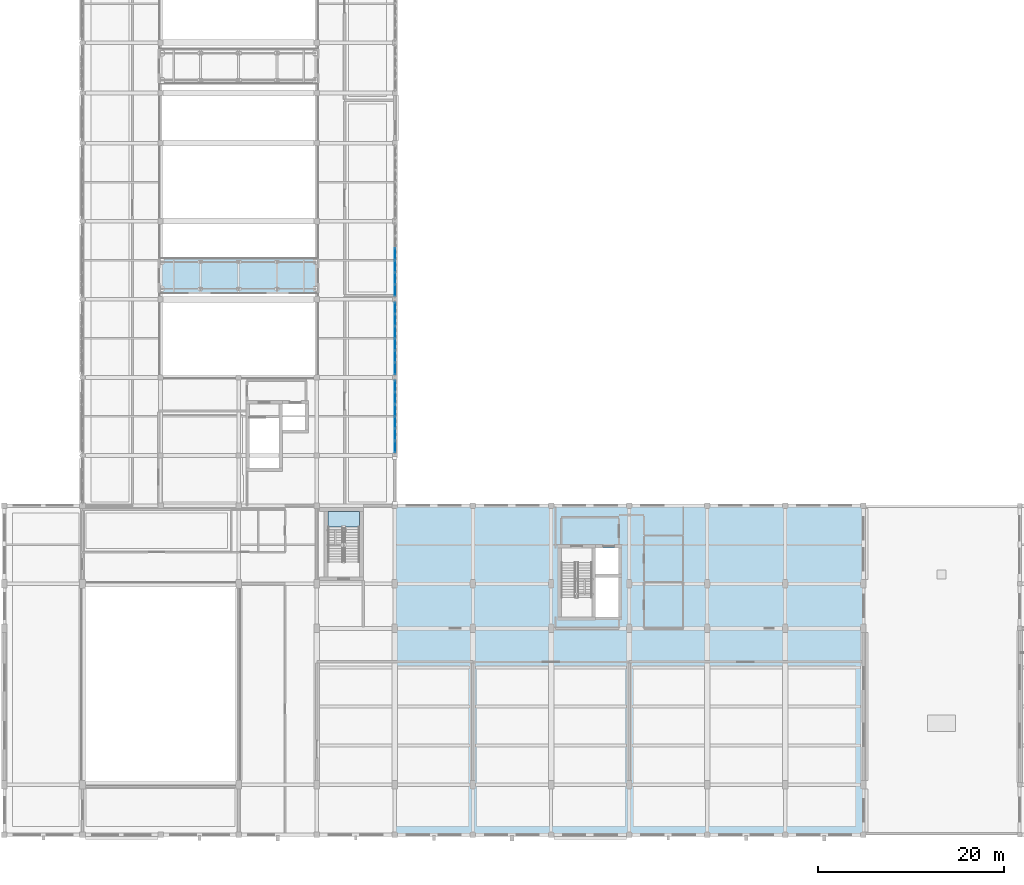
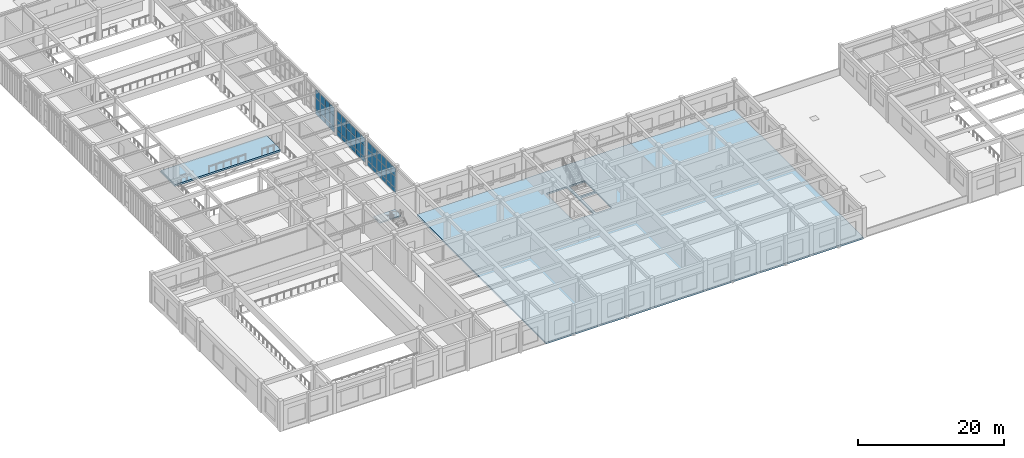
# One storey, part 45 of 77: 48 plates, 3 slabs, 4 elements without a shape of their own.
"""IFC4 building model written with IfcOpenShell, lengths in metres."""

from ifc_helpers import new_model, si_unit, direction, frame, origin, origin_2d, place, context, subcontext, project, spatial, polyline, rectangle, outline, extrude, material, layer, layer_set, type_object, element, aggregate, save


model = new_model("IFC4")

# Units and contexts
model_context = context("Model", 3, precision=1e-05, world=origin(), true_north=direction((0.0, 1.0)))
body_context = subcontext(model_context, "Body", "Model", "MODEL_VIEW")
ifc_project = project(units=[si_unit("LENGTHUNIT", "METRE"), si_unit("AREAUNIT", "SQUARE_METRE"), si_unit("VOLUMEUNIT", "CUBIC_METRE"), si_unit("PLANEANGLEUNIT", "RADIAN"), si_unit("MASSUNIT", "GRAM", prefix="KILO")], contexts=[model_context])

# Site, building, storey
site_placement = place(None, origin())
site = spatial("IfcSite", under=ifc_project, at=site_placement, CompositionType="ELEMENT")
building_placement = place(site_placement, origin())
building = spatial("IfcBuilding", under=site, at=building_placement, Name="Krzemoval Escarpment Law Courts", CompositionType="ELEMENT")
storey_placement = place(building_placement, frame((0.0, 0.0, 15.300048828125)))
storey = spatial("IfcBuildingStorey", under=building, at=storey_placement, Name="L03", CompositionType="ELEMENT", Elevation=15.300048828125)

# Curtain wall, plates
ifc_material_1 = material(Name="Aluminium 6063-T6", Category="aluminium")
ifc_layer_1 = layer(ifc_material_1, 0.280029296875)
ifc_layer_set_1 = layer_set([ifc_layer_1], Name="Aluminium 6063-T6")
curtain_wall_type = type_object("IfcCurtainWallType", Name="CW-HALL-5100", PredefinedType="USERDEFINED", material=ifc_layer_set_1)
curtain_wall_1_placement = place(storey_placement, origin())
curtain_wall_1 = element("IfcCurtainWall", 1, at=curtain_wall_1_placement, inside=storey, type_object=curtain_wall_type, Name="Unitised Curtain Wall FCW-L03-109", ObjectType="UNITISED_CURTAIN_WALL", PredefinedType="USERDEFINED")
ifc_material_2 = material(Name="Triple Glazing IGU", Category="glass")
ifc_layer_2 = layer(ifc_material_2, 0.053955078125)
ifc_layer_set_2 = layer_set([ifc_layer_2], Name="Triple Glazing IGU")
plate_type = type_object("IfcPlateType", Name="CWP-GLZ-54", PredefinedType="CURTAIN_PANEL", material=ifc_layer_set_2)
plate_1_placement = place(storey_placement, frame((42.0, 62.4541015625, 0.0849609375), z_axis=(0.0, 0.0, 1.0), x_axis=(0.0, -1.0, 0.0)))
plate_1 = element("IfcPlate", 2, at=plate_1_placement, type_object=plate_type, Name="FCW-L03-109 panel 3.1", PredefinedType="CURTAIN_PANEL", context=body_context, shape_type="SweptSolid", body=[
    extrude(rectangle(XDim=1.223388671875, YDim=0.053955078125, at=origin_2d()), origin(), (0.0, 0.0, 1.0), 0.7724609375),
])
plate_2_placement = place(storey_placement, frame((42.0, 62.4541015625, 0.9423828125), z_axis=(0.0, 0.0, 1.0), x_axis=(0.0, -1.0, 0.0)))
plate_2 = element("IfcPlate", 3, at=plate_2_placement, type_object=plate_type, Name="FCW-L03-109 panel 3.2", PredefinedType="CURTAIN_PANEL", context=body_context, shape_type="SweptSolid", body=[
    extrude(rectangle(XDim=1.223388671875, YDim=0.053955078125, at=origin_2d()), origin(), (0.0, 0.0, 1.0), 1.81494140625),
])
plate_3_placement = place(storey_placement, frame((42.0, 62.4541015625, 2.842529296875), z_axis=(0.0, 0.0, 1.0), x_axis=(0.0, -1.0, 0.0)))
plate_3 = element("IfcPlate", 4, at=plate_3_placement, type_object=plate_type, Name="FCW-L03-109 panel 3.3", PredefinedType="CURTAIN_PANEL", context=body_context, shape_type="SweptSolid", body=[
    extrude(rectangle(XDim=1.223388671875, YDim=0.053955078125, at=origin_2d()), origin(), (0.0, 0.0, 1.0), 1.3125),
])
plate_4_placement = place(storey_placement, frame((42.0, 61.145751953125, 0.0849609375), z_axis=(0.0, 0.0, 1.0), x_axis=(0.0, -1.0, 0.0)))
plate_4 = element("IfcPlate", 5, at=plate_4_placement, type_object=plate_type, Name="FCW-L03-109 panel 4.1", PredefinedType="CURTAIN_PANEL", context=body_context, shape_type="SweptSolid", body=[
    extrude(rectangle(XDim=1.223388671875, YDim=0.053955078125, at=origin_2d()), origin(), (0.0, 0.0, 1.0), 0.7724609375),
])
plate_5_placement = place(storey_placement, frame((42.0, 61.145751953125, 0.9423828125), z_axis=(0.0, 0.0, 1.0), x_axis=(0.0, -1.0, 0.0)))
plate_5 = element("IfcPlate", 6, at=plate_5_placement, type_object=plate_type, Name="FCW-L03-109 panel 4.2", PredefinedType="CURTAIN_PANEL", context=body_context, shape_type="SweptSolid", body=[
    extrude(rectangle(XDim=1.223388671875, YDim=0.053955078125, at=origin_2d()), origin(), (0.0, 0.0, 1.0), 1.81494140625),
])
plate_6_placement = place(storey_placement, frame((42.0, 61.145751953125, 2.842529296875), z_axis=(0.0, 0.0, 1.0), x_axis=(0.0, -1.0, 0.0)))
plate_6 = element("IfcPlate", 7, at=plate_6_placement, type_object=plate_type, Name="FCW-L03-109 panel 4.3", PredefinedType="CURTAIN_PANEL", context=body_context, shape_type="SweptSolid", body=[
    extrude(rectangle(XDim=1.223388671875, YDim=0.053955078125, at=origin_2d()), origin(), (0.0, 0.0, 1.0), 1.3125),
])
plate_7_placement = place(storey_placement, frame((42.0, 59.83740234375, 0.0849609375), z_axis=(0.0, 0.0, 1.0), x_axis=(0.0, -1.0, 0.0)))
plate_7 = element("IfcPlate", 8, at=plate_7_placement, type_object=plate_type, Name="FCW-L03-109 panel 5.1", PredefinedType="CURTAIN_PANEL", context=body_context, shape_type="SweptSolid", body=[
    extrude(rectangle(XDim=1.223388671875, YDim=0.053955078125, at=origin_2d()), origin(), (0.0, 0.0, 1.0), 0.7724609375),
])
plate_8_placement = place(storey_placement, frame((42.0, 59.83740234375, 0.9423828125), z_axis=(0.0, 0.0, 1.0), x_axis=(0.0, -1.0, 0.0)))
plate_8 = element("IfcPlate", 9, at=plate_8_placement, type_object=plate_type, Name="FCW-L03-109 panel 5.2", PredefinedType="CURTAIN_PANEL", context=body_context, shape_type="SweptSolid", body=[
    extrude(rectangle(XDim=1.223388671875, YDim=0.053955078125, at=origin_2d()), origin(), (0.0, 0.0, 1.0), 1.81494140625),
])
plate_9_placement = place(storey_placement, frame((42.0, 59.83740234375, 2.842529296875), z_axis=(0.0, 0.0, 1.0), x_axis=(0.0, -1.0, 0.0)))
plate_9 = element("IfcPlate", 10, at=plate_9_placement, type_object=plate_type, Name="FCW-L03-109 panel 5.3", PredefinedType="CURTAIN_PANEL", context=body_context, shape_type="SweptSolid", body=[
    extrude(rectangle(XDim=1.223388671875, YDim=0.053955078125, at=origin_2d()), origin(), (0.0, 0.0, 1.0), 1.3125),
])
plate_10_placement = place(storey_placement, frame((42.0, 58.550537109375, 0.0849609375), z_axis=(0.0, 0.0, 1.0), x_axis=(0.0, -1.0, 0.0)))
plate_10 = element("IfcPlate", 11, at=plate_10_placement, type_object=plate_type, Name="FCW-L03-109 panel 6.1", PredefinedType="CURTAIN_PANEL", context=body_context, shape_type="SweptSolid", body=[
    extrude(rectangle(XDim=1.180908203125, YDim=0.053955078125, at=origin_2d()), origin(), (0.0, 0.0, 1.0), 0.7724609375),
])
plate_11_placement = place(storey_placement, frame((42.0, 58.550537109375, 0.9423828125), z_axis=(0.0, 0.0, 1.0), x_axis=(0.0, -1.0, 0.0)))
plate_11 = element("IfcPlate", 12, at=plate_11_placement, type_object=plate_type, Name="FCW-L03-109 panel 6.2", PredefinedType="CURTAIN_PANEL", context=body_context, shape_type="SweptSolid", body=[
    extrude(rectangle(XDim=1.180908203125, YDim=0.053955078125, at=origin_2d()), origin(), (0.0, 0.0, 1.0), 1.81494140625),
])
plate_12_placement = place(storey_placement, frame((42.0, 58.550537109375, 2.842529296875), z_axis=(0.0, 0.0, 1.0), x_axis=(0.0, -1.0, 0.0)))
plate_12 = element("IfcPlate", 13, at=plate_12_placement, type_object=plate_type, Name="FCW-L03-109 panel 6.3", PredefinedType="CURTAIN_PANEL", context=body_context, shape_type="SweptSolid", body=[
    extrude(rectangle(XDim=1.180908203125, YDim=0.053955078125, at=origin_2d()), origin(), (0.0, 0.0, 1.0), 1.3125),
])
aggregate(curtain_wall_1, [plate_1, plate_2, plate_3, plate_4, plate_5, plate_6, plate_7, plate_8, plate_9, plate_10, plate_11, plate_12])

curtain_wall_2_placement = place(storey_placement, origin())
curtain_wall_2 = element("IfcCurtainWall", 14, at=curtain_wall_2_placement, inside=storey, type_object=curtain_wall_type, Name="Unitised Curtain Wall FCW-L03-110", ObjectType="UNITISED_CURTAIN_WALL", PredefinedType="USERDEFINED")
plate_13_placement = place(storey_placement, frame((42.0, 56.649658203125, 0.0849609375), z_axis=(0.0, 0.0, 1.0), x_axis=(0.0, -1.0, 0.0)))
plate_13 = element("IfcPlate", 15, at=plate_13_placement, type_object=plate_type, Name="FCW-L03-110 panel 1.1", PredefinedType="CURTAIN_PANEL", context=body_context, shape_type="SweptSolid", body=[
    extrude(rectangle(XDim=1.180908203125, YDim=0.053955078125, at=origin_2d()), origin(), (0.0, 0.0, 1.0), 0.7724609375),
])
plate_14_placement = place(storey_placement, frame((42.0, 56.649658203125, 0.9423828125), z_axis=(0.0, 0.0, 1.0), x_axis=(0.0, -1.0, 0.0)))
plate_14 = element("IfcPlate", 16, at=plate_14_placement, type_object=plate_type, Name="FCW-L03-110 panel 1.2", PredefinedType="CURTAIN_PANEL", context=body_context, shape_type="SweptSolid", body=[
    extrude(rectangle(XDim=1.180908203125, YDim=0.053955078125, at=origin_2d()), origin(), (0.0, 0.0, 1.0), 1.81494140625),
])
plate_15_placement = place(storey_placement, frame((42.0, 56.649658203125, 2.842529296875), z_axis=(0.0, 0.0, 1.0), x_axis=(0.0, -1.0, 0.0)))
plate_15 = element("IfcPlate", 17, at=plate_15_placement, type_object=plate_type, Name="FCW-L03-110 panel 1.3", PredefinedType="CURTAIN_PANEL", context=body_context, shape_type="SweptSolid", body=[
    extrude(rectangle(XDim=1.180908203125, YDim=0.053955078125, at=origin_2d()), origin(), (0.0, 0.0, 1.0), 1.3125),
])
plate_16_placement = place(storey_placement, frame((42.0, 55.362548828125, 0.0849609375), z_axis=(0.0, 0.0, 1.0), x_axis=(0.0, -1.0, 0.0)))
plate_16 = element("IfcPlate", 18, at=plate_16_placement, type_object=plate_type, Name="FCW-L03-110 panel 2.1", PredefinedType="CURTAIN_PANEL", context=body_context, shape_type="SweptSolid", body=[
    extrude(rectangle(XDim=1.223388671875, YDim=0.053955078125, at=origin_2d()), origin(), (0.0, 0.0, 1.0), 0.7724609375),
])
plate_17_placement = place(storey_placement, frame((42.0, 55.362548828125, 0.9423828125), z_axis=(0.0, 0.0, 1.0), x_axis=(0.0, -1.0, 0.0)))
plate_17 = element("IfcPlate", 19, at=plate_17_placement, type_object=plate_type, Name="FCW-L03-110 panel 2.2", PredefinedType="CURTAIN_PANEL", context=body_context, shape_type="SweptSolid", body=[
    extrude(rectangle(XDim=1.223388671875, YDim=0.053955078125, at=origin_2d()), origin(), (0.0, 0.0, 1.0), 1.81494140625),
])
plate_18_placement = place(storey_placement, frame((42.0, 55.362548828125, 2.842529296875), z_axis=(0.0, 0.0, 1.0), x_axis=(0.0, -1.0, 0.0)))
plate_18 = element("IfcPlate", 20, at=plate_18_placement, type_object=plate_type, Name="FCW-L03-110 panel 2.3", PredefinedType="CURTAIN_PANEL", context=body_context, shape_type="SweptSolid", body=[
    extrude(rectangle(XDim=1.223388671875, YDim=0.053955078125, at=origin_2d()), origin(), (0.0, 0.0, 1.0), 1.3125),
])
plate_19_placement = place(storey_placement, frame((42.0, 54.05419921875, 0.0849609375), z_axis=(0.0, 0.0, 1.0), x_axis=(0.0, -1.0, 0.0)))
plate_19 = element("IfcPlate", 21, at=plate_19_placement, type_object=plate_type, Name="FCW-L03-110 panel 3.1", PredefinedType="CURTAIN_PANEL", context=body_context, shape_type="SweptSolid", body=[
    extrude(rectangle(XDim=1.223388671875, YDim=0.053955078125, at=origin_2d()), origin(), (0.0, 0.0, 1.0), 0.7724609375),
])
plate_20_placement = place(storey_placement, frame((42.0, 54.05419921875, 0.9423828125), z_axis=(0.0, 0.0, 1.0), x_axis=(0.0, -1.0, 0.0)))
plate_20 = element("IfcPlate", 22, at=plate_20_placement, type_object=plate_type, Name="FCW-L03-110 panel 3.2", PredefinedType="CURTAIN_PANEL", context=body_context, shape_type="SweptSolid", body=[
    extrude(rectangle(XDim=1.223388671875, YDim=0.053955078125, at=origin_2d()), origin(), (0.0, 0.0, 1.0), 1.81494140625),
])
plate_21_placement = place(storey_placement, frame((42.0, 54.05419921875, 2.842529296875), z_axis=(0.0, 0.0, 1.0), x_axis=(0.0, -1.0, 0.0)))
plate_21 = element("IfcPlate", 23, at=plate_21_placement, type_object=plate_type, Name="FCW-L03-110 panel 3.3", PredefinedType="CURTAIN_PANEL", context=body_context, shape_type="SweptSolid", body=[
    extrude(rectangle(XDim=1.223388671875, YDim=0.053955078125, at=origin_2d()), origin(), (0.0, 0.0, 1.0), 1.3125),
])
plate_22_placement = place(storey_placement, frame((42.0, 52.745849609375, 0.0849609375), z_axis=(0.0, 0.0, 1.0), x_axis=(0.0, -1.0, 0.0)))
plate_22 = element("IfcPlate", 24, at=plate_22_placement, type_object=plate_type, Name="FCW-L03-110 panel 4.1", PredefinedType="CURTAIN_PANEL", context=body_context, shape_type="SweptSolid", body=[
    extrude(rectangle(XDim=1.223388671875, YDim=0.053955078125, at=origin_2d()), origin(), (0.0, 0.0, 1.0), 0.7724609375),
])
plate_23_placement = place(storey_placement, frame((42.0, 52.745849609375, 0.9423828125), z_axis=(0.0, 0.0, 1.0), x_axis=(0.0, -1.0, 0.0)))
plate_23 = element("IfcPlate", 25, at=plate_23_placement, type_object=plate_type, Name="FCW-L03-110 panel 4.2", PredefinedType="CURTAIN_PANEL", context=body_context, shape_type="SweptSolid", body=[
    extrude(rectangle(XDim=1.223388671875, YDim=0.053955078125, at=origin_2d()), origin(), (0.0, 0.0, 1.0), 1.81494140625),
])
plate_24_placement = place(storey_placement, frame((42.0, 52.745849609375, 2.842529296875), z_axis=(0.0, 0.0, 1.0), x_axis=(0.0, -1.0, 0.0)))
plate_24 = element("IfcPlate", 26, at=plate_24_placement, type_object=plate_type, Name="FCW-L03-110 panel 4.3", PredefinedType="CURTAIN_PANEL", context=body_context, shape_type="SweptSolid", body=[
    extrude(rectangle(XDim=1.223388671875, YDim=0.053955078125, at=origin_2d()), origin(), (0.0, 0.0, 1.0), 1.3125),
])
plate_25_placement = place(storey_placement, frame((42.0, 51.4375, 0.0849609375), z_axis=(0.0, 0.0, 1.0), x_axis=(0.0, -1.0, 0.0)))
plate_25 = element("IfcPlate", 27, at=plate_25_placement, type_object=plate_type, Name="FCW-L03-110 panel 5.1", PredefinedType="CURTAIN_PANEL", context=body_context, shape_type="SweptSolid", body=[
    extrude(rectangle(XDim=1.223388671875, YDim=0.053955078125, at=origin_2d()), origin(), (0.0, 0.0, 1.0), 0.7724609375),
])
plate_26_placement = place(storey_placement, frame((42.0, 51.4375, 0.9423828125), z_axis=(0.0, 0.0, 1.0), x_axis=(0.0, -1.0, 0.0)))
plate_26 = element("IfcPlate", 28, at=plate_26_placement, type_object=plate_type, Name="FCW-L03-110 panel 5.2", PredefinedType="CURTAIN_PANEL", context=body_context, shape_type="SweptSolid", body=[
    extrude(rectangle(XDim=1.223388671875, YDim=0.053955078125, at=origin_2d()), origin(), (0.0, 0.0, 1.0), 1.81494140625),
])
plate_27_placement = place(storey_placement, frame((42.0, 51.4375, 2.842529296875), z_axis=(0.0, 0.0, 1.0), x_axis=(0.0, -1.0, 0.0)))
plate_27 = element("IfcPlate", 29, at=plate_27_placement, type_object=plate_type, Name="FCW-L03-110 panel 5.3", PredefinedType="CURTAIN_PANEL", context=body_context, shape_type="SweptSolid", body=[
    extrude(rectangle(XDim=1.223388671875, YDim=0.053955078125, at=origin_2d()), origin(), (0.0, 0.0, 1.0), 1.3125),
])
plate_28_placement = place(storey_placement, frame((42.0, 50.150390625, 0.0849609375), z_axis=(0.0, 0.0, 1.0), x_axis=(0.0, -1.0, 0.0)))
plate_28 = element("IfcPlate", 30, at=plate_28_placement, type_object=plate_type, Name="FCW-L03-110 panel 6.1", PredefinedType="CURTAIN_PANEL", context=body_context, shape_type="SweptSolid", body=[
    extrude(rectangle(XDim=1.180908203125, YDim=0.053955078125, at=origin_2d()), origin(), (0.0, 0.0, 1.0), 0.7724609375),
])
plate_29_placement = place(storey_placement, frame((42.0, 50.150390625, 0.9423828125), z_axis=(0.0, 0.0, 1.0), x_axis=(0.0, -1.0, 0.0)))
plate_29 = element("IfcPlate", 31, at=plate_29_placement, type_object=plate_type, Name="FCW-L03-110 panel 6.2", PredefinedType="CURTAIN_PANEL", context=body_context, shape_type="SweptSolid", body=[
    extrude(rectangle(XDim=1.180908203125, YDim=0.053955078125, at=origin_2d()), origin(), (0.0, 0.0, 1.0), 1.81494140625),
])
plate_30_placement = place(storey_placement, frame((42.0, 50.150390625, 2.842529296875), z_axis=(0.0, 0.0, 1.0), x_axis=(0.0, -1.0, 0.0)))
plate_30 = element("IfcPlate", 32, at=plate_30_placement, type_object=plate_type, Name="FCW-L03-110 panel 6.3", PredefinedType="CURTAIN_PANEL", context=body_context, shape_type="SweptSolid", body=[
    extrude(rectangle(XDim=1.180908203125, YDim=0.053955078125, at=origin_2d()), origin(), (0.0, 0.0, 1.0), 1.3125),
])
aggregate(curtain_wall_2, [plate_13, plate_14, plate_15, plate_16, plate_17, plate_18, plate_19, plate_20, plate_21, plate_22, plate_23, plate_24, plate_25, plate_26, plate_27, plate_28, plate_29, plate_30])

curtain_wall_3_placement = place(storey_placement, origin())
curtain_wall_3 = element("IfcCurtainWall", 33, at=curtain_wall_3_placement, inside=storey, type_object=curtain_wall_type, Name="Unitised Curtain Wall FCW-L03-111", ObjectType="UNITISED_CURTAIN_WALL", PredefinedType="USERDEFINED")
plate_31_placement = place(storey_placement, frame((42.0, 48.24951171875, 0.0849609375), z_axis=(0.0, 0.0, 1.0), x_axis=(0.0, -1.0, 0.0)))
plate_31 = element("IfcPlate", 34, at=plate_31_placement, type_object=plate_type, Name="FCW-L03-111 panel 1.1", PredefinedType="CURTAIN_PANEL", context=body_context, shape_type="SweptSolid", body=[
    extrude(rectangle(XDim=1.180908203125, YDim=0.053955078125, at=origin_2d()), origin(), (0.0, 0.0, 1.0), 0.7724609375),
])
plate_32_placement = place(storey_placement, frame((42.0, 48.24951171875, 0.9423828125), z_axis=(0.0, 0.0, 1.0), x_axis=(0.0, -1.0, 0.0)))
plate_32 = element("IfcPlate", 35, at=plate_32_placement, type_object=plate_type, Name="FCW-L03-111 panel 1.2", PredefinedType="CURTAIN_PANEL", context=body_context, shape_type="SweptSolid", body=[
    extrude(rectangle(XDim=1.180908203125, YDim=0.053955078125, at=origin_2d()), origin(), (0.0, 0.0, 1.0), 1.81494140625),
])
plate_33_placement = place(storey_placement, frame((42.0, 48.24951171875, 2.842529296875), z_axis=(0.0, 0.0, 1.0), x_axis=(0.0, -1.0, 0.0)))
plate_33 = element("IfcPlate", 36, at=plate_33_placement, type_object=plate_type, Name="FCW-L03-111 panel 1.3", PredefinedType="CURTAIN_PANEL", context=body_context, shape_type="SweptSolid", body=[
    extrude(rectangle(XDim=1.180908203125, YDim=0.053955078125, at=origin_2d()), origin(), (0.0, 0.0, 1.0), 1.3125),
])
plate_34_placement = place(storey_placement, frame((42.0, 46.96240234375, 0.0849609375), z_axis=(0.0, 0.0, 1.0), x_axis=(0.0, -1.0, 0.0)))
plate_34 = element("IfcPlate", 37, at=plate_34_placement, type_object=plate_type, Name="FCW-L03-111 panel 2.1", PredefinedType="CURTAIN_PANEL", context=body_context, shape_type="SweptSolid", body=[
    extrude(rectangle(XDim=1.223388671875, YDim=0.053955078125, at=origin_2d()), origin(), (0.0, 0.0, 1.0), 0.7724609375),
])
plate_35_placement = place(storey_placement, frame((42.0, 46.96240234375, 0.9423828125), z_axis=(0.0, 0.0, 1.0), x_axis=(0.0, -1.0, 0.0)))
plate_35 = element("IfcPlate", 38, at=plate_35_placement, type_object=plate_type, Name="FCW-L03-111 panel 2.2", PredefinedType="CURTAIN_PANEL", context=body_context, shape_type="SweptSolid", body=[
    extrude(rectangle(XDim=1.223388671875, YDim=0.053955078125, at=origin_2d()), origin(), (0.0, 0.0, 1.0), 1.81494140625),
])
plate_36_placement = place(storey_placement, frame((42.0, 46.96240234375, 2.842529296875), z_axis=(0.0, 0.0, 1.0), x_axis=(0.0, -1.0, 0.0)))
plate_36 = element("IfcPlate", 39, at=plate_36_placement, type_object=plate_type, Name="FCW-L03-111 panel 2.3", PredefinedType="CURTAIN_PANEL", context=body_context, shape_type="SweptSolid", body=[
    extrude(rectangle(XDim=1.223388671875, YDim=0.053955078125, at=origin_2d()), origin(), (0.0, 0.0, 1.0), 1.3125),
])
plate_37_placement = place(storey_placement, frame((42.0, 45.654052734375, 0.0849609375), z_axis=(0.0, 0.0, 1.0), x_axis=(0.0, -1.0, 0.0)))
plate_37 = element("IfcPlate", 40, at=plate_37_placement, type_object=plate_type, Name="FCW-L03-111 panel 3.1", PredefinedType="CURTAIN_PANEL", context=body_context, shape_type="SweptSolid", body=[
    extrude(rectangle(XDim=1.223388671875, YDim=0.053955078125, at=origin_2d()), origin(), (0.0, 0.0, 1.0), 0.7724609375),
])
plate_38_placement = place(storey_placement, frame((42.0, 45.654052734375, 0.9423828125), z_axis=(0.0, 0.0, 1.0), x_axis=(0.0, -1.0, 0.0)))
plate_38 = element("IfcPlate", 41, at=plate_38_placement, type_object=plate_type, Name="FCW-L03-111 panel 3.2", PredefinedType="CURTAIN_PANEL", context=body_context, shape_type="SweptSolid", body=[
    extrude(rectangle(XDim=1.223388671875, YDim=0.053955078125, at=origin_2d()), origin(), (0.0, 0.0, 1.0), 1.81494140625),
])
plate_39_placement = place(storey_placement, frame((42.0, 45.654052734375, 2.842529296875), z_axis=(0.0, 0.0, 1.0), x_axis=(0.0, -1.0, 0.0)))
plate_39 = element("IfcPlate", 42, at=plate_39_placement, type_object=plate_type, Name="FCW-L03-111 panel 3.3", PredefinedType="CURTAIN_PANEL", context=body_context, shape_type="SweptSolid", body=[
    extrude(rectangle(XDim=1.223388671875, YDim=0.053955078125, at=origin_2d()), origin(), (0.0, 0.0, 1.0), 1.3125),
])
plate_40_placement = place(storey_placement, frame((42.0, 44.345947265625, 0.0849609375), z_axis=(0.0, 0.0, 1.0), x_axis=(0.0, -1.0, 0.0)))
plate_40 = element("IfcPlate", 43, at=plate_40_placement, type_object=plate_type, Name="FCW-L03-111 panel 4.1", PredefinedType="CURTAIN_PANEL", context=body_context, shape_type="SweptSolid", body=[
    extrude(rectangle(XDim=1.223388671875, YDim=0.053955078125, at=origin_2d()), origin(), (0.0, 0.0, 1.0), 0.7724609375),
])
plate_41_placement = place(storey_placement, frame((42.0, 44.345947265625, 0.9423828125), z_axis=(0.0, 0.0, 1.0), x_axis=(0.0, -1.0, 0.0)))
plate_41 = element("IfcPlate", 44, at=plate_41_placement, type_object=plate_type, Name="FCW-L03-111 panel 4.2", PredefinedType="CURTAIN_PANEL", context=body_context, shape_type="SweptSolid", body=[
    extrude(rectangle(XDim=1.223388671875, YDim=0.053955078125, at=origin_2d()), origin(), (0.0, 0.0, 1.0), 1.81494140625),
])
plate_42_placement = place(storey_placement, frame((42.0, 44.345947265625, 2.842529296875), z_axis=(0.0, 0.0, 1.0), x_axis=(0.0, -1.0, 0.0)))
plate_42 = element("IfcPlate", 45, at=plate_42_placement, type_object=plate_type, Name="FCW-L03-111 panel 4.3", PredefinedType="CURTAIN_PANEL", context=body_context, shape_type="SweptSolid", body=[
    extrude(rectangle(XDim=1.223388671875, YDim=0.053955078125, at=origin_2d()), origin(), (0.0, 0.0, 1.0), 1.3125),
])
plate_43_placement = place(storey_placement, frame((42.0, 43.03759765625, 0.0849609375), z_axis=(0.0, 0.0, 1.0), x_axis=(0.0, -1.0, 0.0)))
plate_43 = element("IfcPlate", 46, at=plate_43_placement, type_object=plate_type, Name="FCW-L03-111 panel 5.1", PredefinedType="CURTAIN_PANEL", context=body_context, shape_type="SweptSolid", body=[
    extrude(rectangle(XDim=1.223388671875, YDim=0.053955078125, at=origin_2d()), origin(), (0.0, 0.0, 1.0), 0.7724609375),
])
plate_44_placement = place(storey_placement, frame((42.0, 43.03759765625, 0.9423828125), z_axis=(0.0, 0.0, 1.0), x_axis=(0.0, -1.0, 0.0)))
plate_44 = element("IfcPlate", 47, at=plate_44_placement, type_object=plate_type, Name="FCW-L03-111 panel 5.2", PredefinedType="CURTAIN_PANEL", context=body_context, shape_type="SweptSolid", body=[
    extrude(rectangle(XDim=1.223388671875, YDim=0.053955078125, at=origin_2d()), origin(), (0.0, 0.0, 1.0), 1.81494140625),
])
plate_45_placement = place(storey_placement, frame((42.0, 43.03759765625, 2.842529296875), z_axis=(0.0, 0.0, 1.0), x_axis=(0.0, -1.0, 0.0)))
plate_45 = element("IfcPlate", 48, at=plate_45_placement, type_object=plate_type, Name="FCW-L03-111 panel 5.3", PredefinedType="CURTAIN_PANEL", context=body_context, shape_type="SweptSolid", body=[
    extrude(rectangle(XDim=1.223388671875, YDim=0.053955078125, at=origin_2d()), origin(), (0.0, 0.0, 1.0), 1.3125),
])
plate_46_placement = place(storey_placement, frame((42.0, 41.75048828125, 0.0849609375), z_axis=(0.0, 0.0, 1.0), x_axis=(0.0, -1.0, 0.0)))
plate_46 = element("IfcPlate", 49, at=plate_46_placement, type_object=plate_type, Name="FCW-L03-111 panel 6.1", PredefinedType="CURTAIN_PANEL", context=body_context, shape_type="SweptSolid", body=[
    extrude(rectangle(XDim=1.180908203125, YDim=0.053955078125, at=origin_2d()), origin(), (0.0, 0.0, 1.0), 0.7724609375),
])
plate_47_placement = place(storey_placement, frame((42.0, 41.75048828125, 0.9423828125), z_axis=(0.0, 0.0, 1.0), x_axis=(0.0, -1.0, 0.0)))
plate_47 = element("IfcPlate", 50, at=plate_47_placement, type_object=plate_type, Name="FCW-L03-111 panel 6.2", PredefinedType="CURTAIN_PANEL", context=body_context, shape_type="SweptSolid", body=[
    extrude(rectangle(XDim=1.180908203125, YDim=0.053955078125, at=origin_2d()), origin(), (0.0, 0.0, 1.0), 1.81494140625),
])
plate_48_placement = place(storey_placement, frame((42.0, 41.75048828125, 2.842529296875), z_axis=(0.0, 0.0, 1.0), x_axis=(0.0, -1.0, 0.0)))
plate_48 = element("IfcPlate", 51, at=plate_48_placement, type_object=plate_type, Name="FCW-L03-111 panel 6.3", PredefinedType="CURTAIN_PANEL", context=body_context, shape_type="SweptSolid", body=[
    extrude(rectangle(XDim=1.180908203125, YDim=0.053955078125, at=origin_2d()), origin(), (0.0, 0.0, 1.0), 1.3125),
])
aggregate(curtain_wall_3, [plate_31, plate_32, plate_33, plate_34, plate_35, plate_36, plate_37, plate_38, plate_39, plate_40, plate_41, plate_42, plate_43, plate_44, plate_45, plate_46, plate_47, plate_48])

# Slab
ifc_material_3 = material(Name="Concrete C40/50", Category="concrete")
ifc_layer_3 = layer(ifc_material_3, 0.300048828125)
ifc_layer_set_3 = layer_set([ifc_layer_3], Name="Concrete C40/50")
slab_type_1 = type_object("IfcSlabType", Name="SL-FLR-300", PredefinedType="FLOOR", material=ifc_layer_set_3)
slab_1_placement = place(storey_placement, frame((0.0, 0.0, -0.300048828125)))
element("IfcSlab", 52, at=slab_1_placement, inside=storey, type_object=slab_type_1, Name="Atrium Bridge Deck BRG-L03-1", PredefinedType="FLOOR", context=body_context, shape_type="SweptSolid", body=[
    extrude(outline(polyline([(33.60009765625, 58.14990234375), (33.60009765625, 62.080078125), (16.800048828125, 62.080078125), (16.800048828125, 58.14990234375), (33.60009765625, 58.14990234375)])), origin(), (0.0, 0.0, 1.0), 0.300048828125),
])

# Stair, slab
ifc_material_4 = material(Name="Concrete C40/50", Category="concrete")
stair_type = type_object("IfcStairType", Name="STR-CORE-1600", PredefinedType="HALF_TURN_STAIR", material=ifc_material_4)
stair_placement = place(storey_placement, origin())
stair = element("IfcStair", 53, at=stair_placement, inside=storey, type_object=stair_type, Name="L03 ST9", PredefinedType="HALF_TURN_STAIR")
ifc_material_5 = material(Name="Concrete C40/50", Category="concrete")
ifc_layer_4 = layer(ifc_material_5, 0.199951171875)
ifc_layer_set_4 = layer_set([ifc_layer_4], Name="Concrete C40/50")
slab_type_2 = type_object("IfcSlabType", Name="SL-LND-200", PredefinedType="LANDING", material=ifc_layer_set_4)
slab_2_placement = place(storey_placement, frame((0.0, 0.0, 2.349853515625)))
slab_2 = element("IfcSlab", 54, at=slab_2_placement, type_object=slab_type_2, Name="ST9 landing 1", PredefinedType="LANDING", context=body_context, shape_type="SweptSolid", body=[
    extrude(outline(polyline([(38.199951171875, 33.1201171875), (38.199951171875, 34.800048828125), (34.800048828125, 34.800048828125), (34.800048828125, 33.1201171875), (38.199951171875, 33.1201171875)])), origin(), (0.0, 0.0, 1.0), 0.2001953125),
])
aggregate(stair, [slab_2])

# Slab
ifc_material_6 = material(Name="Concrete C50/60", Category="concrete")
ifc_layer_5 = layer(ifc_material_6, 0.280029296875)
ifc_layer_set_5 = layer_set([ifc_layer_5], Name="Concrete C50/60")
slab_type_3 = type_object("IfcSlabType", Name="SL-PT-280", PredefinedType="FLOOR", material=ifc_layer_set_5)
slab_3_placement = place(storey_placement, frame((0.0, 0.0, -0.280029296875)))
element("IfcSlab", 55, at=slab_3_placement, inside=storey, type_object=slab_type_3, Name="Floor Slab SL-L03-V2-037", PredefinedType="FLOOR", context=body_context, shape_type="SweptSolid", body=[
    extrude(outline(polyline([(92.39990234375, 35.39990234375), (92.39990234375, 0.0), (42.0400390625, 0.0), (42.0400390625, 35.39990234375), (92.39990234375, 35.39990234375)]), holes=[polyline([(66.050048828125, 28.050048828125), (66.050048828125, 30.85009765625), (63.550048828125, 30.85009765625), (63.550048828125, 28.050048828125), (66.050048828125, 28.050048828125)]), polyline([(63.550048828125, 23.449951171875), (66.050048828125, 23.449951171875), (66.050048828125, 27.75), (63.550048828125, 27.75), (63.550048828125, 23.449951171875)]), polyline([(59.89990234375, 30.85009765625), (59.89990234375, 23.449951171875), (63.199951171875, 23.449951171875), (63.199951171875, 30.85009765625), (59.89990234375, 30.85009765625)])]), origin(), (0.0, 0.0, 1.0), 0.280029296875),
])

save(model, "model.ifc")
